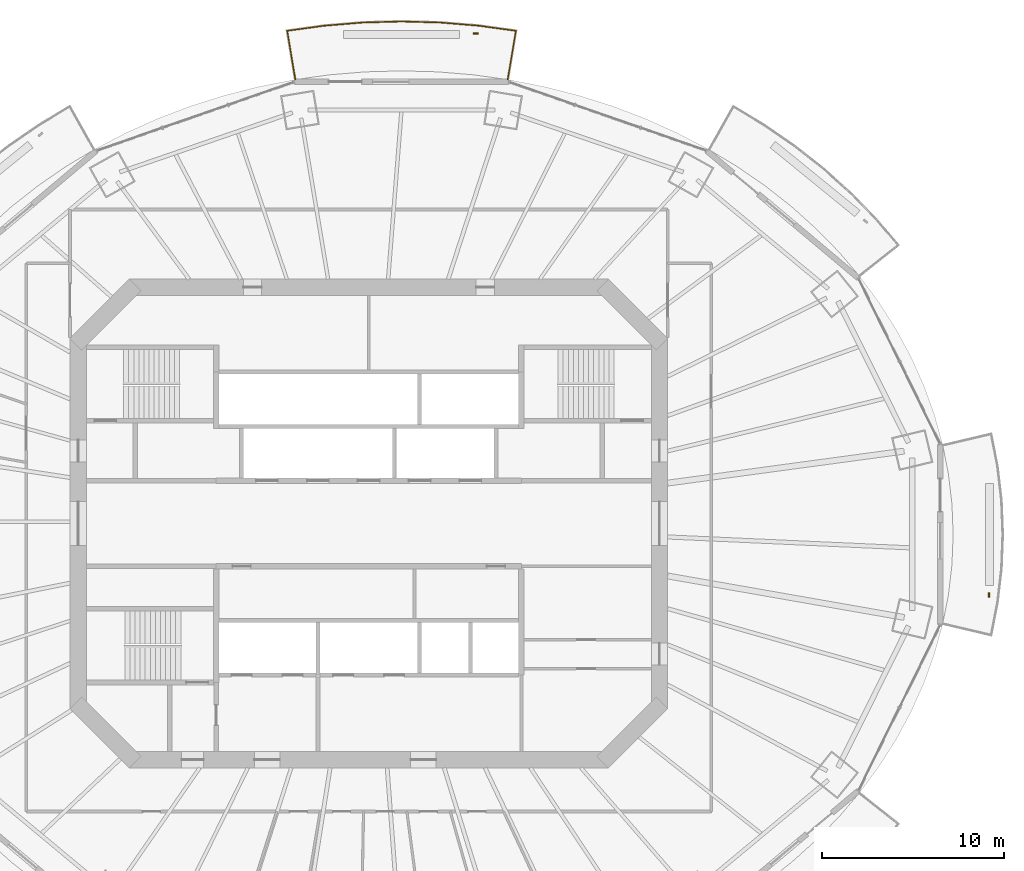
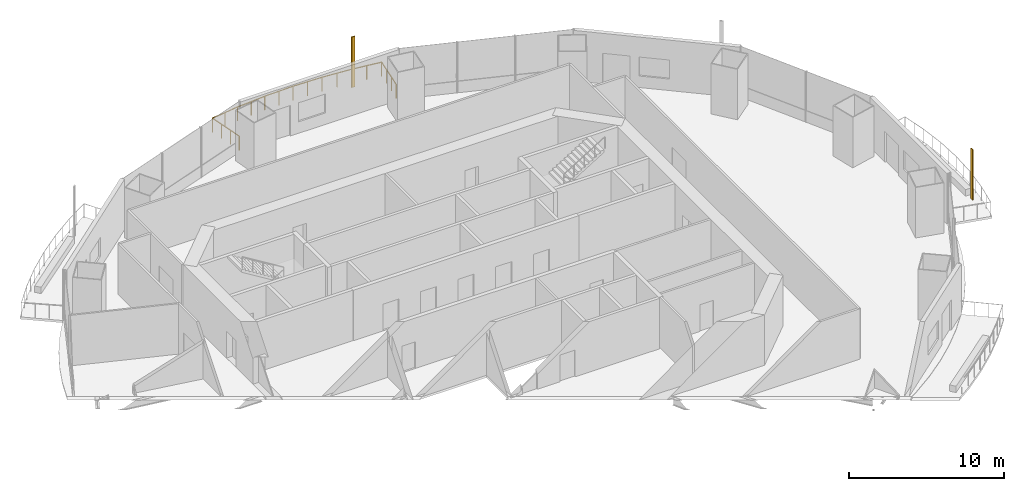
# One storey, part 18 of 19: 2 shading devices, 1 railing.
"""IFC4 building model written with IfcOpenShell, lengths in metres."""

from ifc_helpers import new_model, si_unit, direction, frame, origin, origin_2d, place, context, subcontext, project, spatial, rectangle, circle, extrude, material, material_profile, profile_set, type_object, element, save


model = new_model("IFC4")

# Units and contexts
model_context = context("Model", 3, precision=1e-05, world=origin(), true_north=direction((0.0, 1.0)))
body_context = subcontext(model_context, "Body", "Model", "MODEL_VIEW")
ifc_project = project(units=[si_unit("LENGTHUNIT", "METRE"), si_unit("AREAUNIT", "SQUARE_METRE"), si_unit("VOLUMEUNIT", "CUBIC_METRE"), si_unit("PLANEANGLEUNIT", "RADIAN"), si_unit("MASSUNIT", "GRAM", prefix="KILO")], contexts=[model_context])

# Site, building, storey
site_placement = place(None, origin())
site = spatial("IfcSite", under=ifc_project, at=site_placement, CompositionType="ELEMENT")
building_placement = place(site_placement, origin())
building = spatial("IfcBuilding", under=site, at=building_placement, Name="Marenthal Gate Tower", CompositionType="ELEMENT")
storey_placement = place(building_placement, frame((0.0, 0.0, 244.050048828125)))
storey = spatial("IfcBuildingStorey", under=building, at=storey_placement, Name="L54", CompositionType="ELEMENT", Elevation=244.050048828125)

# Railing
ifc_material_1 = material(Name="Stainless steel", Category="steel")
railing_type = type_object("IfcRailingType", Name="Balcony guard 1100", PredefinedType="GUARDRAIL", material=ifc_material_1)
railing_placement = place(storey_placement, frame((-4.044921875, 24.44189453125, 0.0)))
element("IfcRailing", 1, at=railing_placement, inside=storey, type_object=railing_type, Name="Balcony guard L54 bay 4", PredefinedType="GUARDRAIL", context=body_context, shape_type="SweptSolid", body=[
    extrude(circle(Radius=0.02392578125, at=origin_2d()), frame((0.0, 0.0, 1.076171875), z_axis=(-0.165050627973, 0.986175258386, -0.014719033707), x_axis=(-0.986282103159, -0.165068509984, 0.0)), (0.0, 0.0, 1.0), 2.72021484375),
    extrude(circle(Radius=0.02392578125, at=origin_2d()), frame((-0.448974609375, 2.6826171875, 1.0361328125), z_axis=(0.990644458779, 0.136468151191, 0.0), x_axis=(-0.136468151191, 0.990644458779, 0.0)), (0.0, 0.0, 1.0), 2.05029296875),
    extrude(circle(Radius=0.02392578125, at=origin_2d()), frame((1.58203125, 2.96240234375, 1.0361328125), z_axis=(0.996593709479, 0.082468043674, 0.0), x_axis=(-0.082468043674, 0.996593709479, 0.0)), (0.0, 0.0, 1.0), 2.134521484375),
    extrude(circle(Radius=0.02392578125, at=origin_2d()), frame((3.709228515625, 3.138427734375, 1.0361328125), z_axis=(0.999623877025, 0.027424523375, 0.0), x_axis=(-0.027424523375, 0.999623877025, 0.0)), (0.0, 0.0, 1.0), 2.136474609375),
    extrude(circle(Radius=0.02392578125, at=origin_2d()), frame((5.844970703125, 3.197021484375, 1.0361328125), z_axis=(0.999623877025, -0.027424523375, 0.0), x_axis=(0.027424523375, 0.999623877025, 0.0)), (0.0, 0.0, 1.0), 2.136474609375),
    extrude(circle(Radius=0.02392578125, at=origin_2d()), frame((7.980712890625, 3.138427734375, 1.0361328125), z_axis=(0.996592931449, -0.082477445314, 0.0), x_axis=(0.082477445314, 0.996592931449, 0.0)), (0.0, 0.0, 1.0), 2.13427734375),
    extrude(circle(Radius=0.02392578125, at=origin_2d()), frame((10.107666015625, 2.96240234375, 1.0361328125), z_axis=(0.990644458779, -0.136468151191, 0.0), x_axis=(0.136468151191, 0.990644458779, 0.0)), (0.0, 0.0, 1.0), 2.05029296875),
    extrude(circle(Radius=0.02392578125, at=origin_2d()), frame((12.138671875, 2.6826171875, 1.0361328125), z_axis=(-0.164963320777, -0.986189863276, 0.014719251691), x_axis=(0.986296712796, -0.164981193859, 0.0)), (0.0, 0.0, 1.0), 2.72021484375),
    extrude(circle(Radius=0.02099609375, at=origin_2d()), origin(), (0.0, 0.0, 1.0), 1.052001953125),
    extrude(circle(Radius=0.02099609375, at=origin_2d()), frame((-0.149658203125, 0.894287109375, -0.013427734375)), (0.0, 0.0, 1.0), 1.052001953125),
    extrude(circle(Radius=0.02099609375, at=origin_2d()), frame((-0.29931640625, 1.788330078125, -0.026611328125)), (0.0, 0.0, 1.0), 1.052001953125),
    extrude(circle(Radius=0.02099609375, at=origin_2d()), frame((-0.448974609375, 2.6826171875, -0.0400390625)), (0.0, 0.0, 1.0), 1.052001953125),
    extrude(circle(Radius=0.02099609375, at=origin_2d()), frame((0.56640625, 2.822509765625, -0.0400390625)), (0.0, 0.0, 1.0), 1.052001953125),
    extrude(circle(Radius=0.02099609375, at=origin_2d()), frame((1.58203125, 2.96240234375, -0.0400390625)), (0.0, 0.0, 1.0), 1.052001953125),
    extrude(circle(Radius=0.02099609375, at=origin_2d()), frame((2.6455078125, 3.05029296875, -0.0400390625)), (0.0, 0.0, 1.0), 1.052001953125),
    extrude(circle(Radius=0.02099609375, at=origin_2d()), frame((3.709228515625, 3.138427734375, -0.0400390625)), (0.0, 0.0, 1.0), 1.052001953125),
    extrude(circle(Radius=0.02099609375, at=origin_2d()), frame((4.777099609375, 3.167724609375, -0.0400390625)), (0.0, 0.0, 1.0), 1.052001953125),
    extrude(circle(Radius=0.02099609375, at=origin_2d()), frame((5.844970703125, 3.197021484375, -0.0400390625)), (0.0, 0.0, 1.0), 1.052001953125),
    extrude(circle(Radius=0.02099609375, at=origin_2d()), frame((6.912841796875, 3.167724609375, -0.0400390625)), (0.0, 0.0, 1.0), 1.052001953125),
    extrude(circle(Radius=0.02099609375, at=origin_2d()), frame((7.980712890625, 3.138427734375, -0.0400390625)), (0.0, 0.0, 1.0), 1.052001953125),
    extrude(circle(Radius=0.02099609375, at=origin_2d()), frame((9.044189453125, 3.05029296875, -0.0400390625)), (0.0, 0.0, 1.0), 1.052001953125),
    extrude(circle(Radius=0.02099609375, at=origin_2d()), frame((10.107666015625, 2.96240234375, -0.0400390625)), (0.0, 0.0, 1.0), 1.052001953125),
    extrude(circle(Radius=0.02099609375, at=origin_2d()), frame((11.123046875, 2.822509765625, -0.0400390625)), (0.0, 0.0, 1.0), 1.052001953125),
    extrude(circle(Radius=0.02099609375, at=origin_2d()), frame((12.138671875, 2.6826171875, -0.0400390625)), (0.0, 0.0, 1.0), 1.052001953125),
    extrude(circle(Radius=0.02099609375, at=origin_2d()), frame((11.989013671875, 1.788330078125, -0.026611328125)), (0.0, 0.0, 1.0), 1.052001953125),
    extrude(circle(Radius=0.02099609375, at=origin_2d()), frame((11.839599609375, 0.894287109375, -0.013427734375)), (0.0, 0.0, 1.0), 1.052001953125),
    extrude(circle(Radius=0.02099609375, at=origin_2d()), frame((11.68994140625, 0.0, 0.0)), (0.0, 0.0, 1.0), 1.052001953125),
])

# Shading devices
ifc_material_2 = material(Name="Terracotta", Category="masonry")
ifc_material_profile = material_profile(ifc_material_2, rectangle(XDim=0.25, YDim=0.080078125, at=origin_2d()), Name="Terracotta baguette 250x80")
ifc_profile_set = profile_set([ifc_material_profile], Name="Terracotta")
shading_device_type = type_object("IfcShadingDeviceType", Name="Terracotta BAGUETTE SCREEN 250x80", PredefinedType="USERDEFINED", material=ifc_profile_set)
for number, where, z_axis, x_axis, name in (
    (2, (5.885498046875, 26.964111328125, -0.0400390625), (0.0, 0.0, 1.0), (-1.0, 0.0, 0.0), "Terracotta BAGUETTE L54 bay 4L"),
    (3, (34.133056640625, -3.92333984375, -0.0400390625), (0.0, 0.0, 1.0), (0.0, 1.0, 0.0), "Terracotta BAGUETTE L54 bay 16L"),
):
    element("IfcShadingDevice", number, at=place(storey_placement, frame(where, z_axis=z_axis, x_axis=x_axis)), inside=storey, type_object=shading_device_type, Name=name, ObjectType="BAGUETTE SCREEN", PredefinedType="USERDEFINED", context=body_context, shape_type="SweptSolid", body=[
        extrude(rectangle(XDim=0.25, YDim=0.080078125, at=origin_2d()), origin(), (0.0, 0.0, 1.0), 3.969970703125),
    ])

save(model, "model.ifc")
